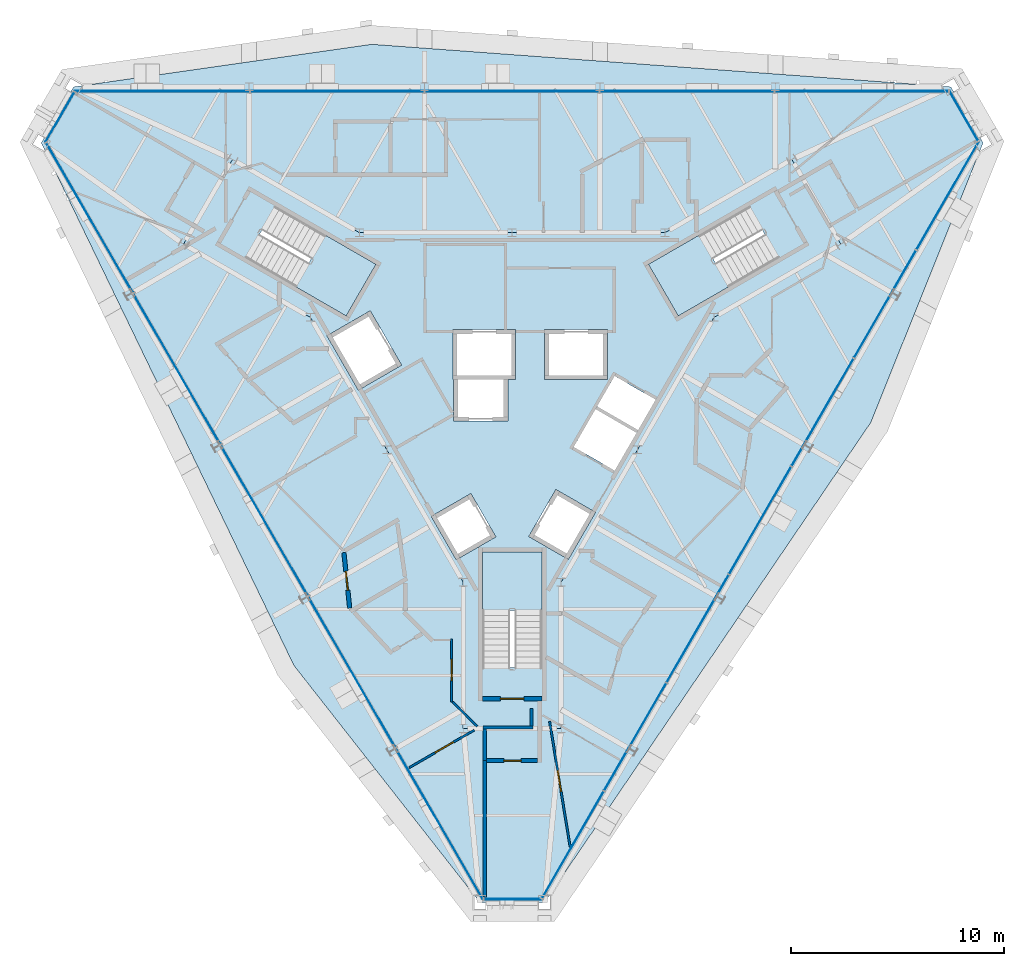
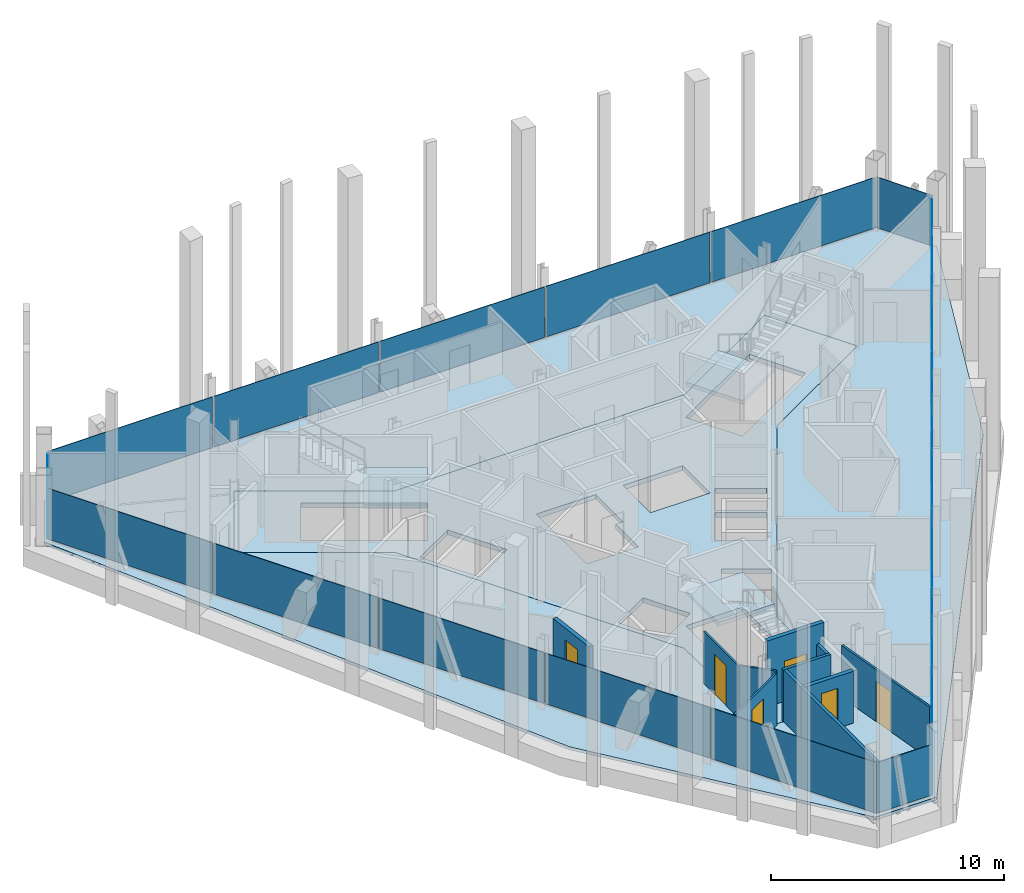
# One storey, part 8 of 15: 20 plates, 11 walls, 6 doors, 5 slabs, 6 openings, 9 elements without a shape of their own.
"""IFC4 building model written with IfcOpenShell, lengths in metres."""

from ifc_helpers import new_model, si_unit, direction, frame, frame_2d, origin, origin_2d, place, context, subcontext, project, spatial, polyline, rectangle, outline, extrude, material, layer, layer_set, type_object, element, fill, aggregate, save


model = new_model("IFC4")

# Units and contexts
model_context = context("Model", 3, precision=1e-05, world=origin(), true_north=direction((0.0, 1.0)))
body_context = subcontext(model_context, "Body", "Model", "MODEL_VIEW")
ifc_project = project(units=[si_unit("LENGTHUNIT", "METRE"), si_unit("AREAUNIT", "SQUARE_METRE"), si_unit("VOLUMEUNIT", "CUBIC_METRE"), si_unit("PLANEANGLEUNIT", "RADIAN"), si_unit("MASSUNIT", "GRAM", prefix="KILO")], contexts=[model_context])

# Site, building, storey
site_placement = place(None, origin())
site = spatial("IfcSite", under=ifc_project, at=site_placement, CompositionType="ELEMENT")
building_placement = place(site_placement, origin())
building = spatial("IfcBuilding", under=site, at=building_placement, Name="Verrane Prism Tower", CompositionType="ELEMENT")
storey_placement = place(building_placement, frame((0.0, 0.0, 297.300048828125)))
storey = spatial("IfcBuildingStorey", under=building, at=storey_placement, Name="L75", CompositionType="ELEMENT", Elevation=297.300048828125)

# Slabs
ifc_material_1 = material(Name="Concrete C35/45", Category="concrete")
ifc_layer_1 = layer(ifc_material_1, 0.159912109375)
ifc_layer_set_1 = layer_set([ifc_layer_1], Name="Composite floor slab")
slab_type_1 = type_object("IfcSlabType", Name="Composite floor slab", PredefinedType="FLOOR", material=ifc_layer_set_1)
slab_1_placement = place(storey_placement, frame((0.0, 0.0, -0.16015625)))
element("IfcSlab", 1, at=slab_1_placement, inside=storey, type_object=slab_type_1, Name="Floor slab L75", PredefinedType="FLOOR", context=body_context, shape_type="SweptSolid", body=[
    extrude(outline(polyline([(16.85009765625, -2.114990234375), (1.51904296875, -24.6689453125), (-1.51904296875, -24.6689453125), (-10.256591796875, -13.53515625), (-22.12353515625, 11.01904296875), (-20.6044921875, 13.64990234375), (-6.593505859375, 15.64990234375), (20.6044921875, 13.64990234375), (22.12353515625, 11.01904296875), (16.85009765625, -2.114990234375)]), holes=[polyline([(15.43994140625, 6.260009765625), (13.139892578125, 10.239990234375), (7.179931640625, 6.800048828125), (0.0, 6.800048828125), (-7.179931640625, 6.800048828125), (-13.139892578125, 10.239990234375), (-15.43994140625, 6.260009765625), (-9.47998046875, 2.820068359375), (-5.889892578125, -3.39990234375), (-2.300048828125, -9.6201171875), (-2.300048828125, -16.5), (2.300048828125, -16.5), (2.300048828125, -9.6201171875), (5.889892578125, -3.39990234375), (9.47998046875, 2.820068359375), (15.43994140625, 6.260009765625)])]), origin(), (0.0, 0.0, 1.0), 0.16015625),
])
ifc_material_2 = material(Name="Concrete C40/50", Category="concrete")
ifc_layer_2 = layer(ifc_material_2, 0.25)
ifc_layer_set_2 = layer_set([ifc_layer_2], Name="Core floor slab 250 concrete C40/50")
slab_type_2 = type_object("IfcSlabType", Name="Core floor slab 250 concrete C40/50", PredefinedType="FLOOR", material=ifc_layer_set_2)
slab_2_placement = place(storey_placement, frame((0.0, 0.0, -0.25)))
element("IfcSlab", 2, at=slab_2_placement, inside=storey, type_object=slab_type_2, Name="Core floor L75", PredefinedType="FLOOR", context=body_context, shape_type="SweptSolid", body=[
    extrude(outline(polyline([(9.47998046875, 2.820068359375), (15.43994140625, 6.260009765625), (13.139892578125, 10.239990234375), (7.179931640625, 6.800048828125), (0.0, 6.800048828125), (-7.179931640625, 6.800048828125), (-13.139892578125, 10.239990234375), (-15.43994140625, 6.260009765625), (-9.47998046875, 2.820068359375), (-5.889892578125, -3.39990234375), (-2.300048828125, -9.6201171875), (-2.300048828125, -16.5), (2.300048828125, -16.5), (2.300048828125, -9.6201171875), (5.889892578125, -3.39990234375), (9.47998046875, 2.820068359375)]), holes=[polyline([(-1.39990234375, -8.199951171875), (1.39990234375, -8.199951171875), (1.39990234375, -13.639892578125), (-1.39990234375, -13.639892578125), (-1.39990234375, -8.199951171875)]), polyline([(-0.76708984375, -7.491943359375), (-2.62890625, -8.56689453125), (-3.803955078125, -6.531982421875), (-1.94189453125, -5.45703125), (-0.76708984375, -7.491943359375)]), polyline([(3.9140625, -6.341064453125), (2.638916015625, -8.550048828125), (0.777099609375, -7.47509765625), (2.052001953125, -5.26611328125), (3.9140625, -6.341064453125)]), polyline([(4.81494140625, -4.37890625), (2.888916015625, -3.26708984375), (3.9130859375, -1.490966796875), (5.841064453125, -2.60302734375), (4.81494140625, -4.37890625)]), polyline([(6.739990234375, -1.044921875), (5.916015625, -2.47412109375), (3.988037109375, -1.361083984375), (4.81396484375, 0.06689453125), (6.739990234375, -1.044921875)]), polyline([(-2.784912109375, -0.10009765625), (-2.784912109375, 2.25), (0.1650390625, 2.25), (0.1650390625, -0.10009765625), (-0.205078125, -0.10009765625), (-0.205078125, -2.050048828125), (-2.7548828125, -2.050048828125), (-2.7548828125, -0.10009765625), (-2.784912109375, -0.10009765625)]), polyline([(4.47509765625, 2.25), (4.47509765625, -0.10009765625), (1.52490234375, -0.10009765625), (1.52490234375, 2.25), (4.47509765625, 2.25)]), polyline([(-8.7041015625, 1.955078125), (-6.66796875, 3.1298828125), (-5.193115234375, 0.574951171875), (-7.22900390625, -0.60009765625), (-8.7041015625, 1.955078125)]), polyline([(-7.801025390625, 2.887939453125), (-12.512939453125, 5.60791015625), (-11.113037109375, 8.031982421875), (-6.40087890625, 5.31201171875), (-7.801025390625, 2.887939453125)]), polyline([(6.40087890625, 5.31201171875), (11.113037109375, 8.031982421875), (12.512939453125, 5.60791015625), (7.801025390625, 2.887939453125), (6.40087890625, 5.31201171875)])]), origin(), (0.0, 0.0, 1.0), 0.25),
])

# Curtain wall, plates
ifc_material_3 = material(Name="Aluminium framed insulated glazing", Category="aluminium")
curtain_wall_type_1 = type_object("IfcCurtainWallType", Name="Curtain wall CW-B 5600 module", PredefinedType="NOTDEFINED", material=ifc_material_3)
curtain_wall_1_placement = place(storey_placement, origin())
curtain_wall_1 = element("IfcCurtainWall", 3, at=curtain_wall_1_placement, inside=storey, type_object=curtain_wall_type_1, Name="Glazed curtain wall south-east face L75", PredefinedType="NOTDEFINED")
ifc_material_4 = material(Name="Low-iron insulating glass unit", Category="glass")
ifc_layer_3 = layer(ifc_material_4, 0.028076171875)
ifc_layer_set_3 = layer_set([ifc_layer_3], Name="Glazing panel IGU 28")
plate_type_1 = type_object("IfcPlateType", Name="Glazing panel IGU 28", PredefinedType="CURTAIN_PANEL", material=ifc_layer_set_3)
plate_1_placement = place(storey_placement, frame((2.84765625, -21.962158203125, 0.06005859375), z_axis=(0.0, 0.0, 1.0), x_axis=(0.500000938868, 0.866024861728, 0.0)))
plate_1 = element("IfcPlate", 4, at=plate_1_placement, type_object=plate_type_1, Name="CW75.6 panel 1", PredefinedType="CURTAIN_PANEL", context=body_context, shape_type="SweptSolid", body=[
    extrude(rectangle(XDim=5.7802734375, YDim=0.028076171875, at=origin_2d()), origin(), (0.0, 0.0, 1.0), 2.6630859375),
])
plate_2_placement = place(storey_placement, frame((5.775390625, -16.891357421875, 0.06005859375), z_axis=(0.0, 0.0, 1.0), x_axis=(0.500000938868, 0.866024861728, 0.0)))
plate_2 = element("IfcPlate", 5, at=plate_2_placement, type_object=plate_type_1, Name="CW75.6 panel 2", PredefinedType="CURTAIN_PANEL", context=body_context, shape_type="SweptSolid", body=[
    extrude(rectangle(XDim=5.810302734375, YDim=0.028076171875, at=origin_2d()), origin(), (0.0, 0.0, 1.0), 2.6630859375),
])
plate_3_placement = place(storey_placement, frame((8.71044921875, -11.807373046875, 0.06005859375), z_axis=(0.0, 0.0, 1.0), x_axis=(0.500000938868, 0.866024861728, 0.0)))
plate_3 = element("IfcPlate", 6, at=plate_3_placement, type_object=plate_type_1, Name="CW75.6 panel 3", PredefinedType="CURTAIN_PANEL", context=body_context, shape_type="SweptSolid", body=[
    extrude(rectangle(XDim=5.810302734375, YDim=0.028076171875, at=origin_2d()), origin(), (0.0, 0.0, 1.0), 2.6630859375),
])
plate_4_placement = place(storey_placement, frame((11.645751953125, -6.7236328125, 0.06005859375), z_axis=(0.0, 0.0, 1.0), x_axis=(0.500000938868, 0.866024861728, 0.0)))
plate_4 = element("IfcPlate", 7, at=plate_4_placement, type_object=plate_type_1, Name="CW75.6 panel 4", PredefinedType="CURTAIN_PANEL", context=body_context, shape_type="SweptSolid", body=[
    extrude(rectangle(XDim=5.810302734375, YDim=0.028076171875, at=origin_2d()), origin(), (0.0, 0.0, 1.0), 2.6630859375),
])
plate_5_placement = place(storey_placement, frame((14.580810546875, -1.639892578125, 0.06005859375), z_axis=(0.0, 0.0, 1.0), x_axis=(0.500000938868, 0.866024861728, 0.0)))
plate_5 = element("IfcPlate", 8, at=plate_5_placement, type_object=plate_type_1, Name="CW75.6 panel 5", PredefinedType="CURTAIN_PANEL", context=body_context, shape_type="SweptSolid", body=[
    extrude(rectangle(XDim=5.810302734375, YDim=0.028076171875, at=origin_2d()), origin(), (0.0, 0.0, 1.0), 2.6630859375),
])
plate_6_placement = place(storey_placement, frame((17.515869140625, 3.444091796875, 0.06005859375), z_axis=(0.0, 0.0, 1.0), x_axis=(0.500000938868, 0.866024861728, 0.0)))
plate_6 = element("IfcPlate", 9, at=plate_6_placement, type_object=plate_type_1, Name="CW75.6 panel 6", PredefinedType="CURTAIN_PANEL", context=body_context, shape_type="SweptSolid", body=[
    extrude(rectangle(XDim=5.810302734375, YDim=0.028076171875, at=origin_2d()), origin(), (0.0, 0.0, 1.0), 2.6630859375),
])
plate_7_placement = place(storey_placement, frame((20.458740234375, 8.540771484375, 0.06005859375), z_axis=(0.0, 0.0, 1.0), x_axis=(0.500000938868, 0.866024861728, 0.0)))
plate_7 = element("IfcPlate", 10, at=plate_7_placement, type_object=plate_type_1, Name="CW75.6 panel 7", PredefinedType="CURTAIN_PANEL", context=body_context, shape_type="SweptSolid", body=[
    extrude(rectangle(XDim=5.84033203125, YDim=0.028076171875, at=origin_2d()), origin(), (0.0, 0.0, 1.0), 2.6630859375),
])
aggregate(curtain_wall_1, [plate_1, plate_2, plate_3, plate_4, plate_5, plate_6, plate_7])

# Curtain wall, plate
ifc_material_5 = material(Name="Aluminium framed insulated glazing", Category="aluminium")
curtain_wall_type_2 = type_object("IfcCurtainWallType", Name="Curtain wall CW-A 8400 module", PredefinedType="NOTDEFINED", material=ifc_material_5)
curtain_wall_2_placement = place(storey_placement, origin())
curtain_wall_2 = element("IfcCurtainWall", 11, at=curtain_wall_2_placement, inside=storey, type_object=curtain_wall_type_2, Name="Glazed curtain wall north-east corner L75", PredefinedType="NOTDEFINED")
ifc_material_6 = material(Name="Low-iron insulating glass unit", Category="glass")
ifc_layer_4 = layer(ifc_material_6, 0.031982421875)
ifc_layer_set_4 = layer_set([ifc_layer_4], Name="Glazing panel IGU 32")
plate_type_2 = type_object("IfcPlateType", Name="Glazing panel IGU 32", PredefinedType="CURTAIN_PANEL", material=ifc_layer_set_4)
plate_8_placement = place(storey_placement, frame((21.21484375, 12.288818359375, 0.06982421875), z_axis=(0.0, 0.0, 1.0), x_axis=(-0.500002040855, 0.866024225493, 0.0)))
plate_8 = element("IfcPlate", 12, at=plate_8_placement, type_object=plate_type_2, Name="CW75.1 panel 1", PredefinedType="CURTAIN_PANEL", context=body_context, shape_type="SweptSolid", body=[
    extrude(rectangle(XDim=2.67529296875, YDim=0.031982421875, at=origin_2d()), origin(), (0.0, 0.0, 1.0), 2.653076171875),
])
aggregate(curtain_wall_2, [plate_8])

# Curtain wall, plates
curtain_wall_3_placement = place(storey_placement, origin())
curtain_wall_3 = element("IfcCurtainWall", 13, at=curtain_wall_3_placement, inside=storey, type_object=curtain_wall_type_2, Name="Glazed curtain wall north face L75", PredefinedType="NOTDEFINED")
plate_9_placement = place(storey_placement, frame((16.41943359375, 13.447265625, 0.06982421875), z_axis=(0.0, 0.0, 1.0), x_axis=(-1.0, 0.0, 0.0)))
plate_9 = element("IfcPlate", 14, at=plate_9_placement, type_object=plate_type_2, Name="CW75.2 panel 1", PredefinedType="CURTAIN_PANEL", context=body_context, shape_type="SweptSolid", body=[
    extrude(rectangle(XDim=8.113525390625, YDim=0.031982421875, at=origin_2d()), origin(), (0.0, 0.0, 1.0), 2.653076171875),
])
plate_10_placement = place(storey_placement, frame((8.218505859375, 13.447265625, 0.06982421875), z_axis=(0.0, 0.0, 1.0), x_axis=(-1.0, 0.0, 0.0)))
plate_10 = element("IfcPlate", 15, at=plate_10_placement, type_object=plate_type_2, Name="CW75.2 panel 2", PredefinedType="CURTAIN_PANEL", context=body_context, shape_type="SweptSolid", body=[
    extrude(rectangle(XDim=8.1484375, YDim=0.031982421875, at=origin_2d()), origin(), (0.0, 0.0, 1.0), 2.653076171875),
])
plate_11_placement = place(storey_placement, frame((0.0, 13.447265625, 0.06982421875), z_axis=(0.0, 0.0, 1.0), x_axis=(-1.0, 0.0, 0.0)))
plate_11 = element("IfcPlate", 16, at=plate_11_placement, type_object=plate_type_2, Name="CW75.2 panel 3", PredefinedType="CURTAIN_PANEL", context=body_context, shape_type="SweptSolid", body=[
    extrude(rectangle(XDim=8.1484375, YDim=0.031982421875, at=origin_2d()), origin(), (0.0, 0.0, 1.0), 2.653076171875),
])
plate_12_placement = place(storey_placement, frame((-8.218505859375, 13.447265625, 0.06982421875), z_axis=(0.0, 0.0, 1.0), x_axis=(-1.0, 0.0, 0.0)))
plate_12 = element("IfcPlate", 17, at=plate_12_placement, type_object=plate_type_2, Name="CW75.2 panel 4", PredefinedType="CURTAIN_PANEL", context=body_context, shape_type="SweptSolid", body=[
    extrude(rectangle(XDim=8.1484375, YDim=0.031982421875, at=origin_2d()), origin(), (0.0, 0.0, 1.0), 2.653076171875),
])
plate_13_placement = place(storey_placement, frame((-16.454345703125, 13.447265625, 0.06982421875), z_axis=(0.0, 0.0, 1.0), x_axis=(-1.0, 0.0, 0.0)))
plate_13 = element("IfcPlate", 18, at=plate_13_placement, type_object=plate_type_2, Name="CW75.2 panel 5", PredefinedType="CURTAIN_PANEL", context=body_context, shape_type="SweptSolid", body=[
    extrude(rectangle(XDim=8.183349609375, YDim=0.031982421875, at=origin_2d()), origin(), (0.0, 0.0, 1.0), 2.653076171875),
])
aggregate(curtain_wall_3, [plate_9, plate_10, plate_11, plate_12, plate_13])

# Curtain wall, plate
curtain_wall_4_placement = place(storey_placement, origin())
curtain_wall_4 = element("IfcCurtainWall", 19, at=curtain_wall_4_placement, inside=storey, type_object=curtain_wall_type_2, Name="Glazed curtain wall north-west corner L75", PredefinedType="NOTDEFINED")
plate_14_placement = place(storey_placement, frame((-21.25, 12.228271484375, 0.06982421875), z_axis=(0.0, 0.0, 1.0), x_axis=(-0.500002040855, -0.866024225493, 0.0)))
plate_14 = element("IfcPlate", 20, at=plate_14_placement, type_object=plate_type_2, Name="CW75.3 panel 1", PredefinedType="CURTAIN_PANEL", context=body_context, shape_type="SweptSolid", body=[
    extrude(rectangle(XDim=2.67529296875, YDim=0.031982421875, at=origin_2d()), origin(), (0.0, 0.0, 1.0), 2.653076171875),
])
aggregate(curtain_wall_4, [plate_14])

# Curtain wall, plates
curtain_wall_5_placement = place(storey_placement, origin())
curtain_wall_5 = element("IfcCurtainWall", 21, at=curtain_wall_5_placement, inside=storey, type_object=curtain_wall_type_2, Name="Glazed curtain wall south-west face L75", PredefinedType="NOTDEFINED")
plate_15_placement = place(storey_placement, frame((-19.855224609375, 7.495849609375, 0.06982421875), z_axis=(0.0, 0.0, 1.0), x_axis=(0.500000938868, -0.866024861728, 0.0)))
plate_15 = element("IfcPlate", 22, at=plate_15_placement, type_object=plate_type_2, Name="CW75.4 panel 1", PredefinedType="CURTAIN_PANEL", context=body_context, shape_type="SweptSolid", body=[
    extrude(rectangle(XDim=8.113525390625, YDim=0.031982421875, at=origin_2d()), origin(), (0.0, 0.0, 1.0), 2.653076171875),
])
plate_16_placement = place(storey_placement, frame((-15.7548828125, 0.393798828125, 0.06982421875), z_axis=(0.0, 0.0, 1.0), x_axis=(0.500000938868, -0.866024861728, 0.0)))
plate_16 = element("IfcPlate", 23, at=plate_16_placement, type_object=plate_type_2, Name="CW75.4 panel 2", PredefinedType="CURTAIN_PANEL", context=body_context, shape_type="SweptSolid", body=[
    extrude(rectangle(XDim=8.1484375, YDim=0.031982421875, at=origin_2d()), origin(), (0.0, 0.0, 1.0), 2.653076171875),
])
plate_17_placement = place(storey_placement, frame((-11.645751953125, -6.7236328125, 0.06982421875), z_axis=(0.0, 0.0, 1.0), x_axis=(0.500000938868, -0.866024861728, 0.0)))
plate_17 = element("IfcPlate", 24, at=plate_17_placement, type_object=plate_type_2, Name="CW75.4 panel 3", PredefinedType="CURTAIN_PANEL", context=body_context, shape_type="SweptSolid", body=[
    extrude(rectangle(XDim=8.1484375, YDim=0.031982421875, at=origin_2d()), origin(), (0.0, 0.0, 1.0), 2.653076171875),
])
plate_18_placement = place(storey_placement, frame((-7.536376953125, -13.841064453125, 0.06982421875), z_axis=(0.0, 0.0, 1.0), x_axis=(0.500000938868, -0.866024861728, 0.0)))
plate_18 = element("IfcPlate", 25, at=plate_18_placement, type_object=plate_type_2, Name="CW75.4 panel 4", PredefinedType="CURTAIN_PANEL", context=body_context, shape_type="SweptSolid", body=[
    extrude(rectangle(XDim=8.1484375, YDim=0.031982421875, at=origin_2d()), origin(), (0.0, 0.0, 1.0), 2.653076171875),
])
plate_19_placement = place(storey_placement, frame((-3.41845703125, -20.973388671875, 0.06982421875), z_axis=(0.0, 0.0, 1.0), x_axis=(0.500000938868, -0.866024861728, 0.0)))
plate_19 = element("IfcPlate", 26, at=plate_19_placement, type_object=plate_type_2, Name="CW75.4 panel 5", PredefinedType="CURTAIN_PANEL", context=body_context, shape_type="SweptSolid", body=[
    extrude(rectangle(XDim=8.183349609375, YDim=0.031982421875, at=origin_2d()), origin(), (0.0, 0.0, 1.0), 2.653076171875),
])
aggregate(curtain_wall_5, [plate_15, plate_16, plate_17, plate_18, plate_19])

# Curtain wall, plate
curtain_wall_6_placement = place(storey_placement, origin())
curtain_wall_6 = element("IfcCurtainWall", 27, at=curtain_wall_6_placement, inside=storey, type_object=curtain_wall_type_2, Name="Glazed curtain wall south corner L75", PredefinedType="NOTDEFINED")
plate_20_placement = place(storey_placement, frame((0.034912109375, -24.51708984375, 0.06982421875), z_axis=(0.0, 0.0, 1.0), x_axis=(1.0, 0.0, 0.0)))
plate_20 = element("IfcPlate", 28, at=plate_20_placement, type_object=plate_type_2, Name="CW75.5 panel 1", PredefinedType="CURTAIN_PANEL", context=body_context, shape_type="SweptSolid", body=[
    extrude(rectangle(XDim=2.67529296875, YDim=0.031982421875, at=origin_2d()), origin(), (0.0, 0.0, 1.0), 2.653076171875),
])
aggregate(curtain_wall_6, [plate_20])

# Stair, slab
ifc_material_7 = material(Name="Concrete C40/50", Category="concrete")
stair_type = type_object("IfcStairType", Name="Exit stair 1300 dog-leg precast concrete C40/50", PredefinedType="HALF_TURN_STAIR", material=ifc_material_7)
stair_1_placement = place(storey_placement, origin())
stair_1 = element("IfcStair", 29, at=stair_1_placement, inside=storey, type_object=stair_type, Name="Stair 1 L75", PredefinedType="HALF_TURN_STAIR")
ifc_material_8 = material(Name="Concrete C40/50", Category="concrete")
ifc_layer_5 = layer(ifc_material_8, 0.199951171875)
ifc_layer_set_5 = layer_set([ifc_layer_5], Name="Stair landing 200 precast concrete C40/50")
slab_type_3 = type_object("IfcSlabType", Name="Stair landing 200 precast concrete C40/50", PredefinedType="LANDING", material=ifc_layer_set_5)
slab_3_placement = place(storey_placement, frame((0.0, 0.0, 1.64990234375)))
slab_3 = element("IfcSlab", 30, at=slab_3_placement, type_object=slab_type_3, Name="Stair 1 landing 1", PredefinedType="LANDING", context=body_context, shape_type="SweptSolid", body=[
    extrude(outline(polyline([(8.791748046875, 6.6923828125), (6.4013671875, 5.3125), (7.801513671875, 2.887451171875), (10.191650390625, 4.267578125), (8.791748046875, 6.6923828125)])), origin(), (0.0, 0.0, 1.0), 0.199951171875),
])
aggregate(stair_1, [slab_3])

stair_2_placement = place(storey_placement, origin())
stair_2 = element("IfcStair", 31, at=stair_2_placement, inside=storey, type_object=stair_type, Name="Stair 2 L75", PredefinedType="HALF_TURN_STAIR")
slab_4_placement = place(storey_placement, frame((0.0, 0.0, 1.64990234375)))
slab_4 = element("IfcSlab", 32, at=slab_4_placement, type_object=slab_type_3, Name="Stair 2 landing 1", PredefinedType="LANDING", context=body_context, shape_type="SweptSolid", body=[
    extrude(outline(polyline([(-10.191650390625, 4.267578125), (-7.801513671875, 2.887451171875), (-6.4013671875, 5.3125), (-8.791748046875, 6.6923828125), (-10.191650390625, 4.267578125)])), origin(), (0.0, 0.0, 1.0), 0.199951171875),
])
aggregate(stair_2, [slab_4])

stair_3_placement = place(storey_placement, origin())
stair_3 = element("IfcStair", 33, at=stair_3_placement, inside=storey, type_object=stair_type, Name="Stair 3 L75", PredefinedType="HALF_TURN_STAIR")
slab_5_placement = place(storey_placement, frame((0.0, 0.0, 1.64990234375)))
slab_5 = element("IfcSlab", 34, at=slab_5_placement, type_object=slab_type_3, Name="Stair 3 landing 1", PredefinedType="LANDING", context=body_context, shape_type="SweptSolid", body=[
    extrude(outline(polyline([(1.39990234375, -10.9599609375), (1.39990234375, -8.199951171875), (-1.39990234375, -8.199951171875), (-1.39990234375, -10.9599609375), (1.39990234375, -10.9599609375)])), origin(), (0.0, 0.0, 1.0), 0.199951171875),
])
aggregate(stair_3, [slab_5])

# Wall, opening, door
ifc_material_9 = material(Name="Concrete C40/50", Category="concrete")
ifc_layer_6 = layer(ifc_material_9, 0.199951171875)
ifc_layer_set_6 = layer_set([ifc_layer_6], Name="CW-200 stair core wall concrete C40/50 3 h")
wall_type_1 = type_object("IfcWallType", Name="CW-200 stair core wall concrete C40/50 3 h", PredefinedType="PARTITIONING", material=ifc_layer_set_6)
wall_1_placement = place(storey_placement, frame((-1.39990234375, -15.10009765625, 0.0), z_axis=(0.0, 0.0, 1.0), x_axis=(1.0, 0.0, 0.0)))
wall_1 = element("IfcWall", 35, at=wall_1_placement, inside=storey, type_object=wall_type_1, Name="Stair 3 enclosure wall", PredefinedType="PARTITIONING", context=body_context, shape_type="SweptSolid", body=[
    extrude(rectangle(XDim=2.7998046875, YDim=0.199951171875, at=frame_2d((1.39990234375, 0.0))), origin(), (0.0, 0.0, 1.0), 3.449951171875),
])
opening_1_placement = place(wall_1_placement, frame((0.85009765625, 0.0, 0.0)))
opening_1 = element("IfcOpeningElement", 36, at=opening_1_placement, cuts=wall_1, Name="Opening D75502", PredefinedType="OPENING", context=body_context, shape_type="SweptSolid", body=[
    extrude(rectangle(XDim=1.10009765625, YDim=2.10009765625, at=frame_2d((0.550048828125, 1.050048828125))), frame((0.0, 0.10986328125, 0.0), z_axis=(0.0, -1.0, 0.0), x_axis=(1.0, 0.0, 0.0)), (0.0, 0.0, 1.0), 0.219970703125),
])
ifc_material_10 = material(Name="Timber veneered door leaf", Category="wood")
door_type_1 = type_object("IfcDoorType", Name="DR-1100x2100 FD90 single leaf stair", OperationType="NOTDEFINED", PredefinedType="DOOR", material=ifc_material_10)
door_1_placement = place(opening_1_placement, origin())
door_1 = element("IfcDoor", 37, at=door_1_placement, inside=storey, type_object=door_type_1, Name="Stair 3 door", OperationType="SINGLE_SWING_LEFT", OverallHeight=2.10009765625, OverallWidth=1.10009765625, PredefinedType="DOOR", context=body_context, shape_type="SweptSolid", body=[
    extrude(rectangle(XDim=1.10009765625, YDim=2.10009765625, at=frame_2d((0.550048828125, 1.050048828125))), frame((0.0, 0.02490234375, 0.0), z_axis=(0.0, -1.0, 0.0), x_axis=(1.0, 0.0, 0.0)), (0.0, 0.0, 1.0), 0.050048828125),
])
fill(opening_1, door_1)

ifc_material_11 = material(Name="Gypsum board partition", Category="other")
ifc_layer_7 = layer(ifc_material_11, 0.10009765625)
ifc_layer_set_7 = layer_set([ifc_layer_7], Name="PW-100 room partition")
wall_type_2 = type_object("IfcWallType", Name="PW-100 room partition", PredefinedType="PARTITIONING", material=ifc_layer_set_7)
wall_2_placement = place(storey_placement, frame((-1.77783203125, -16.568359375, 0.0), z_axis=(0.0, 0.0, 1.0), x_axis=(-0.866019606374, -0.500010041276, 0.0)))
wall_2 = element("IfcWall", 38, at=wall_2_placement, inside=storey, type_object=wall_type_2, Name="Room partition 036", PredefinedType="PARTITIONING", context=body_context, shape_type="SweptSolid", body=[
    extrude(rectangle(XDim=3.52734375, YDim=0.10009765625, at=frame_2d((1.763671875, 0.0))), origin(), (0.0, 0.0, 1.0), 2.722900390625),
])
opening_2_placement = place(wall_2_placement, frame((1.12353515625, 0.0, 0.0)))
opening_2 = element("IfcOpeningElement", 39, at=opening_2_placement, cuts=wall_2, Name="Opening D75029", PredefinedType="OPENING", context=body_context, shape_type="SweptSolid", body=[
    extrude(rectangle(XDim=1.0, YDim=2.10009765625, at=frame_2d((0.5, 1.050048828125))), frame((0.0, 0.06005859375, 0.0), z_axis=(0.0, -1.0, 0.0), x_axis=(1.0, 0.0, 0.0)), (0.0, 0.0, 1.0), 0.1201171875),
])
ifc_material_12 = material(Name="Timber veneered door leaf", Category="wood")
door_type_2 = type_object("IfcDoorType", Name="DR-1000x2100 single leaf inner", OperationType="NOTDEFINED", PredefinedType="DOOR", material=ifc_material_12)
door_2_placement = place(opening_2_placement, origin())
door_2 = element("IfcDoor", 40, at=door_2_placement, inside=storey, type_object=door_type_2, Name="Living And Dining Room door", OperationType="SINGLE_SWING_RIGHT", OverallHeight=2.10009765625, OverallWidth=1.0, PredefinedType="DOOR", context=body_context, shape_type="SweptSolid", body=[
    extrude(rectangle(XDim=1.0, YDim=2.10009765625, at=frame_2d((0.5, 1.050048828125))), frame((0.0, 0.02490234375, 0.0), z_axis=(0.0, -1.0, 0.0), x_axis=(1.0, 0.0, 0.0)), (0.0, 0.0, 1.0), 0.050048828125),
])
fill(opening_2, door_2)

wall_3_placement = place(storey_placement, frame((-2.85009765625, -15.25, 0.0), z_axis=(0.0, 0.0, 1.0), x_axis=(0.0, 1.0, 0.0)))
wall_3 = element("IfcWall", 41, at=wall_3_placement, inside=storey, type_object=wall_type_2, Name="Room partition 040", PredefinedType="PARTITIONING", context=body_context, shape_type="SweptSolid", body=[
    extrude(rectangle(XDim=2.9609375, YDim=0.10009765625, at=frame_2d((1.48046875, 0.0))), origin(), (0.0, 0.0, 1.0), 2.722900390625),
])
opening_3_placement = place(wall_3_placement, frame((1.0, 0.0, 0.0)))
opening_3 = element("IfcOpeningElement", 42, at=opening_3_placement, cuts=wall_3, Name="Opening D75027", PredefinedType="OPENING", context=body_context, shape_type="SweptSolid", body=[
    extrude(rectangle(XDim=1.0, YDim=2.10009765625, at=frame_2d((0.5, 1.050048828125))), frame((0.0, 0.06005859375, 0.0), z_axis=(0.0, -1.0, 0.0), x_axis=(1.0, 0.0, 0.0)), (0.0, 0.0, 1.0), 0.1201171875),
])
door_3_placement = place(opening_3_placement, origin())
door_3 = element("IfcDoor", 43, at=door_3_placement, inside=storey, type_object=door_type_2, Name="Entrance Foyer door", OperationType="SINGLE_SWING_LEFT", OverallHeight=2.10009765625, OverallWidth=1.0, PredefinedType="DOOR", context=body_context, shape_type="SweptSolid", body=[
    extrude(rectangle(XDim=1.0, YDim=2.10009765625, at=frame_2d((0.5, 1.050048828125))), frame((0.0, 0.02490234375, 0.0), z_axis=(0.0, -1.0, 0.0), x_axis=(1.0, 0.0, 0.0)), (0.0, 0.0, 1.0), 0.050048828125),
])
fill(opening_3, door_3)

# Wall
wall_4_placement = place(storey_placement, frame((-2.800537109375, -15.24951171875, 0.0), z_axis=(0.0, 0.0, 1.0), x_axis=(0.707181547962, -0.707032006505, 0.0)))
element("IfcWall", 44, at=wall_4_placement, inside=storey, type_object=wall_type_2, Name="Room partition 041", PredefinedType="PARTITIONING", context=body_context, shape_type="SweptSolid", body=[
    extrude(rectangle(XDim=1.632568359375, YDim=0.10009765625, at=frame_2d((0.81640625, 0.0))), origin(), (0.0, 0.0, 1.0), 2.722900390625),
])

# Wall, opening, door
wall_5_placement = place(storey_placement, frame((2.72119140625, -22.047607421875, 0.0), z_axis=(0.0, 0.0, 1.0), x_axis=(-0.161659467857, 0.98684660229, 0.0)))
wall_5 = element("IfcWall", 45, at=wall_5_placement, inside=storey, type_object=wall_type_2, Name="Room partition 053", PredefinedType="PARTITIONING", context=body_context, shape_type="SweptSolid", body=[
    extrude(rectangle(XDim=5.969970703125, YDim=0.10009765625, at=frame_2d((2.98486328125, 0.0))), origin(), (0.0, 0.0, 1.0), 2.722900390625),
])
opening_4_placement = place(wall_5_placement, frame((2.62548828125, 0.0, 0.0)))
opening_4 = element("IfcOpeningElement", 46, at=opening_4_placement, cuts=wall_5, Name="Opening D75005", PredefinedType="OPENING", context=body_context, shape_type="SweptSolid", body=[
    extrude(rectangle(XDim=1.0, YDim=2.10009765625, at=frame_2d((0.5, 1.050048828125))), frame((0.0, 0.06005859375, 0.0), z_axis=(0.0, -1.0, 0.0), x_axis=(1.0, 0.0, 0.0)), (0.0, 0.0, 1.0), 0.1201171875),
])
door_4_placement = place(opening_4_placement, origin())
door_4 = element("IfcDoor", 47, at=door_4_placement, inside=storey, type_object=door_type_2, Name="Study door", OperationType="SINGLE_SWING_RIGHT", OverallHeight=2.10009765625, OverallWidth=1.0, PredefinedType="DOOR", context=body_context, shape_type="SweptSolid", body=[
    extrude(rectangle(XDim=1.0, YDim=2.10009765625, at=frame_2d((0.5, 1.050048828125))), frame((0.0, 0.02490234375, 0.0), z_axis=(0.0, -1.0, 0.0), x_axis=(1.0, 0.0, 0.0)), (0.0, 0.0, 1.0), 0.050048828125),
])
fill(opening_4, door_4)

# Walls
ifc_material_13 = material(Name="Gypsum board partition", Category="other")
ifc_layer_8 = layer(ifc_material_13, 0.14990234375)
ifc_layer_set_8 = layer_set([ifc_layer_8], Name="PW-150 demising wall 1 h")
wall_type_3 = type_object("IfcWallType", Name="PW-150 demising wall 1 h", PredefinedType="PARTITIONING", material=ifc_layer_set_8)
wall_6_placement = place(storey_placement, frame((-1.3701171875, -16.449951171875, 0.0), z_axis=(0.0, 0.0, 1.0), x_axis=(1.0, 0.0, 0.0)))
element("IfcWall", 48, at=wall_6_placement, inside=storey, type_object=wall_type_3, Name="Demising wall 042", PredefinedType="PARTITIONING", context=body_context, shape_type="SweptSolid", body=[
    extrude(rectangle(XDim=2.34521484375, YDim=0.14990234375, at=frame_2d((1.172607421875, 0.0))), origin(), (0.0, 0.0, 1.0), 2.722900390625),
])
wall_7_placement = place(storey_placement, frame((-1.285888671875, -24.4208984375, 0.0), z_axis=(0.0, 0.0, 1.0), x_axis=(0.0, 1.0, 0.0)))
element("IfcWall", 49, at=wall_7_placement, inside=storey, type_object=wall_type_3, Name="Demising wall 043", PredefinedType="PARTITIONING", context=body_context, shape_type="SweptSolid", body=[
    extrude(rectangle(XDim=6.416015625, YDim=0.14990234375, at=frame_2d((3.2080078125, 0.0))), origin(), (0.0, 0.0, 1.0), 2.722900390625),
])
wall_8_placement = place(storey_placement, frame((-1.285888671875, -18.0, 0.0), z_axis=(0.0, 0.0, 1.0), x_axis=(0.0, 1.0, 0.0)))
element("IfcWall", 50, at=wall_8_placement, inside=storey, type_object=wall_type_3, Name="Demising wall 044", PredefinedType="PARTITIONING", context=body_context, shape_type="SweptSolid", body=[
    extrude(rectangle(XDim=1.47509765625, YDim=0.14990234375, at=frame_2d((0.737548828125, 0.0))), origin(), (0.0, 0.0, 1.0), 2.722900390625),
])
wall_9_placement = place(storey_placement, frame((0.89990234375, -16.375, 0.0), z_axis=(0.0, 0.0, 1.0), x_axis=(0.0, 1.0, 0.0)))
element("IfcWall", 51, at=wall_9_placement, inside=storey, type_object=wall_type_3, Name="Demising wall 046", PredefinedType="PARTITIONING", context=body_context, shape_type="SweptSolid", body=[
    extrude(rectangle(XDim=0.80810546875, YDim=0.14990234375, at=frame_2d((0.404052734375, 0.0))), origin(), (0.0, 0.0, 1.0), 2.722900390625),
])

# Wall, opening, door
ifc_material_14 = material(Name="Gypsum board partition", Category="other")
ifc_layer_9 = layer(ifc_material_14, 0.199951171875)
ifc_layer_set_9 = layer_set([ifc_layer_9], Name="PW-200 plumbing wall")
wall_type_4 = type_object("IfcWallType", Name="PW-200 plumbing wall", PredefinedType="PARTITIONING", material=ifc_layer_set_9)
wall_10_placement = place(storey_placement, frame((-7.90673828125, -8.234619140625, 0.0), z_axis=(0.0, 0.0, 1.0), x_axis=(0.103623353624, -0.994616609847, 0.0)))
wall_10 = element("IfcWall", 52, at=wall_10_placement, inside=storey, type_object=wall_type_4, Name="Plumbing wall 024", PredefinedType="PARTITIONING", context=body_context, shape_type="SweptSolid", body=[
    extrude(rectangle(XDim=2.622314453125, YDim=0.199951171875, at=frame_2d((1.31103515625, 0.0))), origin(), (0.0, 0.0, 1.0), 2.722900390625),
])
opening_5_placement = place(wall_10_placement, frame((0.8798828125, 0.0, 0.0)))
opening_5 = element("IfcOpeningElement", 53, at=opening_5_placement, cuts=wall_10, Name="Opening D75028", PredefinedType="OPENING", context=body_context, shape_type="SweptSolid", body=[
    extrude(rectangle(XDim=0.89990234375, YDim=2.10009765625, at=frame_2d((0.449951171875, 1.050048828125))), frame((0.0, 0.10986328125, 0.0), z_axis=(0.0, -1.0, 0.0), x_axis=(1.0, 0.0, 0.0)), (0.0, 0.0, 1.0), 0.219970703125),
])
ifc_material_15 = material(Name="Timber veneered door leaf", Category="wood")
door_type_3 = type_object("IfcDoorType", Name="DR-900x2100 single leaf inner", OperationType="NOTDEFINED", PredefinedType="DOOR", material=ifc_material_15)
door_5_placement = place(opening_5_placement, origin())
door_5 = element("IfcDoor", 54, at=door_5_placement, inside=storey, type_object=door_type_3, Name="Kitchen door", OperationType="SINGLE_SWING_RIGHT", OverallHeight=2.10009765625, OverallWidth=0.89990234375, PredefinedType="DOOR", context=body_context, shape_type="SweptSolid", body=[
    extrude(rectangle(XDim=0.89990234375, YDim=2.10009765625, at=frame_2d((0.449951171875, 1.050048828125))), frame((0.0, 0.02490234375, 0.0), z_axis=(0.0, -1.0, 0.0), x_axis=(1.0, 0.0, 0.0)), (0.0, 0.0, 1.0), 0.050048828125),
])
fill(opening_5, door_5)

wall_11_placement = place(storey_placement, frame((-1.2109375, -18.0, 0.0), z_axis=(0.0, 0.0, 1.0), x_axis=(1.0, 0.0, 0.0)))
wall_11 = element("IfcWall", 55, at=wall_11_placement, inside=storey, type_object=wall_type_4, Name="Plumbing wall 045", PredefinedType="PARTITIONING", context=body_context, shape_type="SweptSolid", body=[
    extrude(rectangle(XDim=2.410888671875, YDim=0.199951171875, at=frame_2d((1.20556640625, 0.0))), origin(), (0.0, 0.0, 1.0), 2.722900390625),
])
opening_6_placement = place(wall_11_placement, frame((0.824951171875, 0.0, 0.0)))
opening_6 = element("IfcOpeningElement", 56, at=opening_6_placement, cuts=wall_11, Name="Opening D75006", PredefinedType="OPENING", context=body_context, shape_type="SweptSolid", body=[
    extrude(rectangle(XDim=0.800048828125, YDim=2.10009765625, at=frame_2d((0.39990234375, 1.050048828125))), frame((0.0, 0.10986328125, 0.0), z_axis=(0.0, -1.0, 0.0), x_axis=(1.0, 0.0, 0.0)), (0.0, 0.0, 1.0), 0.219970703125),
])
ifc_material_16 = material(Name="Timber veneered door leaf", Category="wood")
door_type_4 = type_object("IfcDoorType", Name="DR-800x2100 single leaf bath", OperationType="NOTDEFINED", PredefinedType="DOOR", material=ifc_material_16)
door_6_placement = place(opening_6_placement, origin())
door_6 = element("IfcDoor", 57, at=door_6_placement, inside=storey, type_object=door_type_4, Name="Master Bathroom door", OperationType="SINGLE_SWING_RIGHT", OverallHeight=2.10009765625, OverallWidth=0.800048828125, PredefinedType="DOOR", context=body_context, shape_type="SweptSolid", body=[
    extrude(rectangle(XDim=0.800048828125, YDim=2.10009765625, at=frame_2d((0.39990234375, 1.050048828125))), frame((0.0, 0.02490234375, 0.0), z_axis=(0.0, -1.0, 0.0), x_axis=(1.0, 0.0, 0.0)), (0.0, 0.0, 1.0), 0.050048828125),
])
fill(opening_6, door_6)

save(model, "model.ifc")
